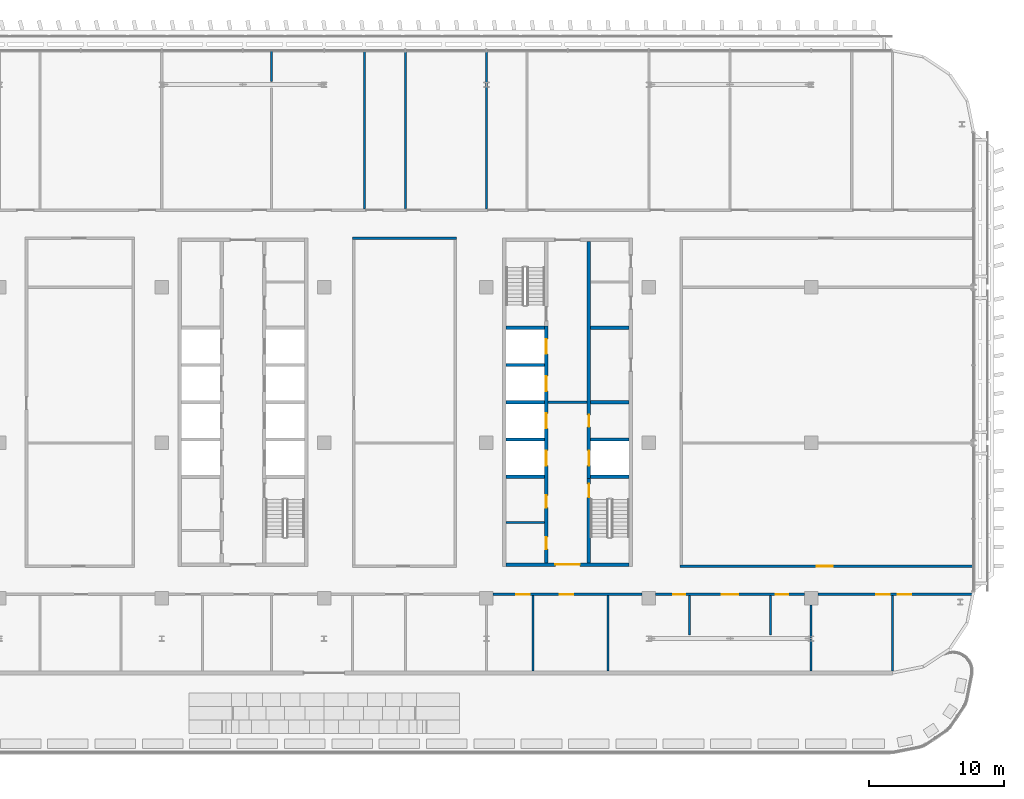
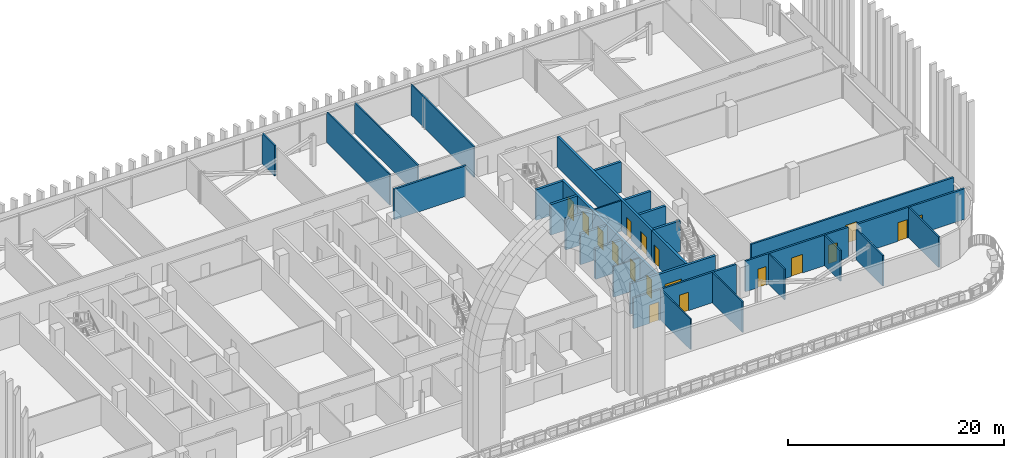
# One storey, part 15 of 30: 30 walls, 18 doors, 18 openings.
"""IFC4 building model written with IfcOpenShell, lengths in metres."""

from ifc_helpers import new_model, si_unit, direction, frame, frame_2d, origin, place, context, subcontext, project, spatial, rectangle, extrude, material, layer, layer_set, type_object, element, fill, save


model = new_model("IFC4")

# Units and contexts
model_context = context("Model", 3, precision=1e-05, world=origin(), true_north=direction((0.0, 1.0)))
body_context = subcontext(model_context, "Body", "Model", "MODEL_VIEW")
ifc_project = project(units=[si_unit("LENGTHUNIT", "METRE"), si_unit("AREAUNIT", "SQUARE_METRE"), si_unit("VOLUMEUNIT", "CUBIC_METRE"), si_unit("PLANEANGLEUNIT", "RADIAN"), si_unit("MASSUNIT", "GRAM", prefix="KILO")], contexts=[model_context])

# Site, building, storey
site_placement = place(None, origin())
site = spatial("IfcSite", under=ifc_project, at=site_placement, CompositionType="ELEMENT")
building_placement = place(site_placement, origin())
building = spatial("IfcBuilding", under=site, at=building_placement, Name="Mahtab Terrace Research Tower", CompositionType="ELEMENT")
storey_placement = place(building_placement, frame((0.0, 0.0, 228.60009765625)))
storey = spatial("IfcBuildingStorey", under=building, at=storey_placement, Name="L55", CompositionType="ELEMENT", Elevation=228.60009765625)

# Walls
ifc_material_1 = material(Name="Gypsum board partition")
ifc_layer_1 = layer(ifc_material_1, 0.14990234375)
ifc_layer_set_1 = layer_set([ifc_layer_1], Name="Core partition 150")
wall_type_1 = type_object("IfcWallType", Name="Core partition 150", PredefinedType="PARTITIONING", material=ifc_layer_set_1)
wall_1_placement = place(storey_placement, frame((22.550048828125, 3.0, 0.0), z_axis=(0.0, 0.0, 1.0), x_axis=(1.0, 0.0, 0.0)))
element("IfcWall", 1, at=wall_1_placement, inside=storey, type_object=wall_type_1, Name="Core wall C ffl", PredefinedType="PARTITIONING", context=body_context, shape_type="SweptSolid", body=[
    extrude(rectangle(XDim=2.89990234375, YDim=0.14990234375, at=frame_2d((1.449951171875, 0.0))), origin(), (0.0, 0.0, 1.0), 3.4599609375),
])
wall_2_placement = place(storey_placement, frame((19.449951171875, -5.875, 0.0), z_axis=(0.0, 0.0, 1.0), x_axis=(1.0, 0.0, 0.0)))
element("IfcWall", 2, at=wall_2_placement, inside=storey, type_object=wall_type_1, Name="Core wall C pWS-888", PredefinedType="PARTITIONING", context=body_context, shape_type="SweptSolid", body=[
    extrude(rectangle(XDim=2.85009765625, YDim=0.14990234375, at=frame_2d((1.425048828125, 0.0))), origin(), (0.0, 0.0, 1.0), 3.4599609375),
])

# Wall, opening, door
ifc_material_2 = material(Name="Concrete C70/85", Category="concrete")
ifc_layer_2 = layer(ifc_material_2, 0.25)
ifc_layer_set_2 = layer_set([ifc_layer_2], Name="Core wall 250")
wall_type_2 = type_object("IfcWallType", Name="Core wall 250", PredefinedType="SOLIDWALL", material=ifc_layer_set_2)
wall_3_placement = place(storey_placement, frame((28.550048828125, -9.0, 0.0), z_axis=(0.0, 0.0, 1.0), x_axis=(-1.0, 0.0, 0.0)))
wall_3 = element("IfcWall", 3, at=wall_3_placement, inside=storey, type_object=wall_type_2, Name="Core wall C endS", PredefinedType="SOLIDWALL", context=body_context, shape_type="SweptSolid", body=[
    extrude(rectangle(XDim=9.10009765625, YDim=0.25, at=frame_2d((4.550048828125, 0.0))), origin(), (0.0, 0.0, 1.0), 3.4599609375),
])
opening_1_placement = place(wall_3_placement, frame((3.64990234375, 0.0, 0.0)))
opening_1 = element("IfcOpeningElement", 4, at=opening_1_placement, cuts=wall_3, Name="Opening C-S1", PredefinedType="OPENING", context=body_context, shape_type="SweptSolid", body=[
    extrude(rectangle(XDim=1.800048828125, YDim=2.10009765625, at=frame_2d((0.89990234375, 1.050048828125))), frame((0.0, 0.135009765625, 0.0), z_axis=(0.0, -1.0, 0.0), x_axis=(1.0, 0.0, 0.0)), (0.0, 0.0, 1.0), 0.27001953125),
])
ifc_material_3 = material(Name="Steel fire door", Category="steel")
door_type_1 = type_object("IfcDoorType", Name="Lobby double door 1800x2100 1 HR", OperationType="DOUBLE_DOOR_SINGLE_SWING", PredefinedType="DOOR", material=ifc_material_3)
door_1_placement = place(opening_1_placement, origin())
door_1 = element("IfcDoor", 5, at=door_1_placement, inside=storey, type_object=door_type_1, Name="Core entrance door C S", OperationType="DOUBLE_DOOR_SINGLE_SWING", OverallHeight=2.10009765625, OverallWidth=1.800048828125, PredefinedType="DOOR", context=body_context, shape_type="SweptSolid", body=[
    extrude(rectangle(XDim=1.800048828125, YDim=2.10009765625, at=frame_2d((0.89990234375, 1.050048828125))), frame((0.0, 0.02490234375, 0.0), z_axis=(0.0, -1.0, 0.0), x_axis=(1.0, 0.0, 0.0)), (0.0, 0.0, 1.0), 0.050048828125),
])
fill(opening_1, door_1)

# Wall, openings, doors
wall_4_placement = place(storey_placement, frame((22.425048828125, -8.875, 0.0), z_axis=(0.0, 0.0, 1.0), x_axis=(0.0, 1.0, 0.0)))
wall_4 = element("IfcWall", 6, at=wall_4_placement, inside=storey, type_object=wall_type_2, Name="Core wall C innerWSL", PredefinedType="SOLIDWALL", context=body_context, shape_type="SweptSolid", body=[
    extrude(rectangle(XDim=17.5, YDim=0.25, at=frame_2d((8.75, 0.0))), origin(), (0.0, 0.0, 1.0), 3.4599609375),
])
opening_2_placement = place(wall_4_placement, frame((7.199951171875, 0.0, 0.0)))
opening_2 = element("IfcOpeningElement", 7, at=opening_2_placement, cuts=wall_4, Name="Opening LD17-L55", PredefinedType="OPENING", context=body_context, shape_type="SweptSolid", body=[
    extrude(rectangle(XDim=1.10009765625, YDim=2.10009765625, at=frame_2d((0.550048828125, 1.050048828125))), frame((0.0, 0.135009765625, 0.0), z_axis=(0.0, -1.0, 0.0), x_axis=(1.0, 0.0, 0.0)), (0.0, 0.0, 1.0), 0.27001953125),
])
opening_3_placement = place(wall_4_placement, frame((9.949951171875, 0.0, 0.0)))
opening_3 = element("IfcOpeningElement", 8, at=opening_3_placement, cuts=wall_4, Name="Opening LD18-L55", PredefinedType="OPENING", context=body_context, shape_type="SweptSolid", body=[
    extrude(rectangle(XDim=1.10009765625, YDim=2.10009765625, at=frame_2d((0.550048828125, 1.050048828125))), frame((0.0, 0.135009765625, 0.0), z_axis=(0.0, -1.0, 0.0), x_axis=(1.0, 0.0, 0.0)), (0.0, 0.0, 1.0), 0.27001953125),
])
opening_4_placement = place(wall_4_placement, frame((12.699951171875, 0.0, 0.0)))
opening_4 = element("IfcOpeningElement", 9, at=opening_4_placement, cuts=wall_4, Name="Opening LD19-L55", PredefinedType="OPENING", context=body_context, shape_type="SweptSolid", body=[
    extrude(rectangle(XDim=1.10009765625, YDim=2.10009765625, at=frame_2d((0.550048828125, 1.050048828125))), frame((0.0, 0.135009765625, 0.0), z_axis=(0.0, -1.0, 0.0), x_axis=(1.0, 0.0, 0.0)), (0.0, 0.0, 1.0), 0.27001953125),
])
opening_5_placement = place(wall_4_placement, frame((15.449951171875, 0.0, 0.0)))
opening_5 = element("IfcOpeningElement", 10, at=opening_5_placement, cuts=wall_4, Name="Opening LD20-L55", PredefinedType="OPENING", context=body_context, shape_type="SweptSolid", body=[
    extrude(rectangle(XDim=1.10009765625, YDim=2.10009765625, at=frame_2d((0.550048828125, 1.050048828125))), frame((0.0, 0.135009765625, 0.0), z_axis=(0.0, -1.0, 0.0), x_axis=(1.0, 0.0, 0.0)), (0.0, 0.0, 1.0), 0.27001953125),
])
opening_6_placement = place(wall_4_placement, frame((1.012451171875, 0.0, 0.0)))
opening_6 = element("IfcOpeningElement", 11, at=opening_6_placement, cuts=wall_4, Name="Opening C-R3", PredefinedType="OPENING", context=body_context, shape_type="SweptSolid", body=[
    extrude(rectangle(XDim=0.89990234375, YDim=2.10009765625, at=frame_2d((0.449951171875, 1.050048828125))), frame((0.0, 0.135009765625, 0.0), z_axis=(0.0, -1.0, 0.0), x_axis=(1.0, 0.0, 0.0)), (0.0, 0.0, 1.0), 0.27001953125),
])
opening_7_placement = place(wall_4_placement, frame((4.08740234375, 0.0, 0.0)))
opening_7 = element("IfcOpeningElement", 12, at=opening_7_placement, cuts=wall_4, Name="Opening C-R4", PredefinedType="OPENING", context=body_context, shape_type="SweptSolid", body=[
    extrude(rectangle(XDim=0.89990234375, YDim=2.10009765625, at=frame_2d((0.449951171875, 1.050048828125))), frame((0.0, 0.135009765625, 0.0), z_axis=(0.0, -1.0, 0.0), x_axis=(1.0, 0.0, 0.0)), (0.0, 0.0, 1.0), 0.27001953125),
])
ifc_material_4 = material(Name="Stainless steel AISI 304", Category="steel")
door_type_2 = type_object("IfcDoorType", Name="Landing door 1100x2100", OperationType="DOUBLE_DOOR_SLIDING", PredefinedType="DOOR", material=ifc_material_4)
door_2_placement = place(opening_2_placement, origin())
door_2 = element("IfcDoor", 13, at=door_2_placement, inside=storey, type_object=door_type_2, Name="Landing door SV1 L55", OperationType="DOUBLE_DOOR_SLIDING", OverallHeight=2.10009765625, OverallWidth=1.10009765625, PredefinedType="DOOR", context=body_context, shape_type="SweptSolid", body=[
    extrude(rectangle(XDim=1.10009765625, YDim=2.10009765625, at=frame_2d((0.550048828125, 1.050048828125))), frame((0.0, 0.02490234375, 0.0), z_axis=(0.0, -1.0, 0.0), x_axis=(1.0, 0.0, 0.0)), (0.0, 0.0, 1.0), 0.050048828125),
])
fill(opening_2, door_2)
door_3_placement = place(opening_3_placement, origin())
door_3 = element("IfcDoor", 14, at=door_3_placement, inside=storey, type_object=door_type_2, Name="Landing door SV2 L55", OperationType="DOUBLE_DOOR_SLIDING", OverallHeight=2.10009765625, OverallWidth=1.10009765625, PredefinedType="DOOR", context=body_context, shape_type="SweptSolid", body=[
    extrude(rectangle(XDim=1.10009765625, YDim=2.10009765625, at=frame_2d((0.550048828125, 1.050048828125))), frame((0.0, 0.02490234375, 0.0), z_axis=(0.0, -1.0, 0.0), x_axis=(1.0, 0.0, 0.0)), (0.0, 0.0, 1.0), 0.050048828125),
])
fill(opening_3, door_3)
door_4_placement = place(opening_4_placement, origin())
door_4 = element("IfcDoor", 15, at=door_4_placement, inside=storey, type_object=door_type_2, Name="Landing door FF1 L55", OperationType="DOUBLE_DOOR_SLIDING", OverallHeight=2.10009765625, OverallWidth=1.10009765625, PredefinedType="DOOR", context=body_context, shape_type="SweptSolid", body=[
    extrude(rectangle(XDim=1.10009765625, YDim=2.10009765625, at=frame_2d((0.550048828125, 1.050048828125))), frame((0.0, 0.02490234375, 0.0), z_axis=(0.0, -1.0, 0.0), x_axis=(1.0, 0.0, 0.0)), (0.0, 0.0, 1.0), 0.050048828125),
])
fill(opening_4, door_4)
door_5_placement = place(opening_5_placement, origin())
door_5 = element("IfcDoor", 16, at=door_5_placement, inside=storey, type_object=door_type_2, Name="Landing door FF2 L55", OperationType="DOUBLE_DOOR_SLIDING", OverallHeight=2.10009765625, OverallWidth=1.10009765625, PredefinedType="DOOR", context=body_context, shape_type="SweptSolid", body=[
    extrude(rectangle(XDim=1.10009765625, YDim=2.10009765625, at=frame_2d((0.550048828125, 1.050048828125))), frame((0.0, 0.02490234375, 0.0), z_axis=(0.0, -1.0, 0.0), x_axis=(1.0, 0.0, 0.0)), (0.0, 0.0, 1.0), 0.050048828125),
])
fill(opening_5, door_5)
door_type_3 = type_object("IfcDoorType", Name="Room door 900x2100 1 HR", OperationType="NOTDEFINED", PredefinedType="DOOR", material=ifc_material_3)
door_6_placement = place(opening_6_placement, origin())
door_6 = element("IfcDoor", 17, at=door_6_placement, inside=storey, type_object=door_type_3, Name="Staff WC door", OperationType="SINGLE_SWING_LEFT", OverallHeight=2.10009765625, OverallWidth=0.89990234375, PredefinedType="DOOR", context=body_context, shape_type="SweptSolid", body=[
    extrude(rectangle(XDim=0.89990234375, YDim=2.10009765625, at=frame_2d((0.449951171875, 1.050048828125))), frame((0.0, 0.02490234375, 0.0), z_axis=(0.0, -1.0, 0.0), x_axis=(1.0, 0.0, 0.0)), (0.0, 0.0, 1.0), 0.050048828125),
])
fill(opening_6, door_6)
door_7_placement = place(opening_7_placement, origin())
door_7 = element("IfcDoor", 18, at=door_7_placement, inside=storey, type_object=door_type_3, Name="Accessible WC door", OperationType="SINGLE_SWING_RIGHT", OverallHeight=2.10009765625, OverallWidth=0.89990234375, PredefinedType="DOOR", context=body_context, shape_type="SweptSolid", body=[
    extrude(rectangle(XDim=0.89990234375, YDim=2.10009765625, at=frame_2d((0.449951171875, 1.050048828125))), frame((0.0, 0.02490234375, 0.0), z_axis=(0.0, -1.0, 0.0), x_axis=(1.0, 0.0, 0.0)), (0.0, 0.0, 1.0), 0.050048828125),
])
fill(opening_7, door_7)

# Wall, opening, door
wall_5_placement = place(storey_placement, frame((25.574951171875, -8.875, 0.0), z_axis=(0.0, 0.0, 1.0), x_axis=(0.0, 1.0, 0.0)))
wall_5 = element("IfcWall", 19, at=wall_5_placement, inside=storey, type_object=wall_type_2, Name="Core wall C innerES", PredefinedType="SOLIDWALL", context=body_context, shape_type="SweptSolid", body=[
    extrude(rectangle(XDim=6.25, YDim=0.25, at=frame_2d((3.125, 0.0))), origin(), (0.0, 0.0, 1.0), 3.4599609375),
])
opening_8_placement = place(wall_5_placement, frame((4.85009765625, 0.0, 0.0)))
opening_8 = element("IfcOpeningElement", 20, at=opening_8_placement, cuts=wall_5, Name="Opening C-ST4", PredefinedType="OPENING", context=body_context, shape_type="SweptSolid", body=[
    extrude(rectangle(XDim=1.0, YDim=2.10009765625, at=frame_2d((0.5, 1.050048828125))), frame((0.0, 0.135009765625, 0.0), z_axis=(0.0, -1.0, 0.0), x_axis=(1.0, 0.0, 0.0)), (0.0, 0.0, 1.0), 0.27001953125),
])
door_type_4 = type_object("IfcDoorType", Name="Stair door 1000x2100 1.5 HR", OperationType="NOTDEFINED", PredefinedType="DOOR", material=ifc_material_3)
door_8_placement = place(opening_8_placement, origin())
door_8 = element("IfcDoor", 21, at=door_8_placement, inside=storey, type_object=door_type_4, Name="Stair door ST4 L55", OperationType="SINGLE_SWING_RIGHT", OverallHeight=2.10009765625, OverallWidth=1.0, PredefinedType="DOOR", context=body_context, shape_type="SweptSolid", body=[
    extrude(rectangle(XDim=1.0, YDim=2.10009765625, at=frame_2d((0.5, 1.050048828125))), frame((0.0, 0.02490234375, 0.0), z_axis=(0.0, -1.0, 0.0), x_axis=(1.0, 0.0, 0.0)), (0.0, 0.0, 1.0), 0.050048828125),
])
fill(opening_8, door_8)

# Wall, openings, doors
wall_6_placement = place(storey_placement, frame((25.574951171875, 14.875, 0.0), z_axis=(0.0, 0.0, 1.0), x_axis=(0.0, -1.0, 0.0)))
wall_6 = element("IfcWall", 22, at=wall_6_placement, inside=storey, type_object=wall_type_2, Name="Core wall C innerELN", PredefinedType="SOLIDWALL", context=body_context, shape_type="SweptSolid", body=[
    extrude(rectangle(XDim=17.5, YDim=0.25, at=frame_2d((8.75, 0.0))), origin(), (0.0, 0.0, 1.0), 3.4599609375),
])
opening_9_placement = place(wall_6_placement, frame((15.449951171875, 0.0, 0.0)))
opening_9 = element("IfcOpeningElement", 23, at=opening_9_placement, cuts=wall_6, Name="Opening LD21-L55", PredefinedType="OPENING", context=body_context, shape_type="SweptSolid", body=[
    extrude(rectangle(XDim=1.10009765625, YDim=2.10009765625, at=frame_2d((0.550048828125, 1.050048828125))), frame((0.0, 0.135009765625, 0.0), z_axis=(0.0, -1.0, 0.0), x_axis=(1.0, 0.0, 0.0)), (0.0, 0.0, 1.0), 0.27001953125),
])
opening_10_placement = place(wall_6_placement, frame((12.800048828125, 0.0, 0.0)))
opening_10 = element("IfcOpeningElement", 24, at=opening_10_placement, cuts=wall_6, Name="Opening C-R1", PredefinedType="OPENING", context=body_context, shape_type="SweptSolid", body=[
    extrude(rectangle(XDim=0.89990234375, YDim=2.10009765625, at=frame_2d((0.449951171875, 1.050048828125))), frame((0.0, 0.135009765625, 0.0), z_axis=(0.0, -1.0, 0.0), x_axis=(1.0, 0.0, 0.0)), (0.0, 0.0, 1.0), 0.27001953125),
])
door_9_placement = place(opening_9_placement, origin())
door_9 = element("IfcDoor", 25, at=door_9_placement, inside=storey, type_object=door_type_2, Name="Landing door SV3 L55", OperationType="DOUBLE_DOOR_SLIDING", OverallHeight=2.10009765625, OverallWidth=1.10009765625, PredefinedType="DOOR", context=body_context, shape_type="SweptSolid", body=[
    extrude(rectangle(XDim=1.10009765625, YDim=2.10009765625, at=frame_2d((0.550048828125, 1.050048828125))), frame((0.0, 0.02490234375, 0.0), z_axis=(0.0, -1.0, 0.0), x_axis=(1.0, 0.0, 0.0)), (0.0, 0.0, 1.0), 0.050048828125),
])
fill(opening_9, door_9)
door_10_placement = place(opening_10_placement, origin())
door_10 = element("IfcDoor", 26, at=door_10_placement, inside=storey, type_object=door_type_3, Name="Plant room door", OperationType="SINGLE_SWING_LEFT", OverallHeight=2.10009765625, OverallWidth=0.89990234375, PredefinedType="DOOR", context=body_context, shape_type="SweptSolid", body=[
    extrude(rectangle(XDim=0.89990234375, YDim=2.10009765625, at=frame_2d((0.449951171875, 1.050048828125))), frame((0.0, 0.02490234375, 0.0), z_axis=(0.0, -1.0, 0.0), x_axis=(1.0, 0.0, 0.0)), (0.0, 0.0, 1.0), 0.050048828125),
])
fill(opening_10, door_10)

# Walls
for number, where, z_axis, x_axis, name in (
    (27, (19.449951171875, -2.5, 0.0), (0.0, 0.0, 1.0), (1.0, 0.0, 0.0), "Core wall C divW0"),
    (28, (19.449951171875, 0.25, 0.0), (0.0, 0.0, 1.0), (1.0, 0.0, 0.0), "Core wall C divW1"),
    (29, (19.449951171875, 3.0, 0.0), (0.0, 0.0, 1.0), (1.0, 0.0, 0.0), "Core wall C divW2"),
    (30, (19.449951171875, 5.75, 0.0), (0.0, 0.0, 1.0), (1.0, 0.0, 0.0), "Core wall C divW3"),
    (31, (19.449951171875, 8.5, 0.0), (0.0, 0.0, 1.0), (1.0, 0.0, 0.0), "Core wall C divW4"),
    (32, (25.699951171875, -2.5, 0.0), (0.0, 0.0, 1.0), (1.0, 0.0, 0.0), "Core wall C divE0"),
    (33, (25.699951171875, 0.25, 0.0), (0.0, 0.0, 1.0), (1.0, 0.0, 0.0), "Core wall C divE1"),
    (34, (25.699951171875, 3.0, 0.0), (0.0, 0.0, 1.0), (1.0, 0.0, 0.0), "Core wall C divE2"),
    (35, (25.699951171875, 8.5, 0.0), (0.0, 0.0, 1.0), (1.0, 0.0, 0.0), "Core wall C divE4"),
):
    element("IfcWall", number, at=place(storey_placement, frame(where, z_axis=z_axis, x_axis=x_axis)), inside=storey, type_object=wall_type_2, Name=name, PredefinedType="SOLIDWALL", context=body_context, shape_type="SweptSolid", body=[
        extrude(rectangle(XDim=2.85009765625, YDim=0.25, at=frame_2d((1.425048828125, 0.0))), origin(), (0.0, 0.0, 1.0), 3.4599609375),
    ])

# Wall, openings, doors
ifc_material_5 = material(Name="Gypsum board corridor wall on steel studs", Category="steel")
ifc_layer_3 = layer(ifc_material_5, 0.199951171875)
ifc_layer_set_3 = layer_set([ifc_layer_3], Name="WALL CORRIDOR 200")
wall_type_3 = type_object("IfcWallType", Name="WALL CORRIDOR 200", PredefinedType="PARTITIONING", material=ifc_layer_set_3)
wall_7_placement = place(storey_placement, frame((18.5, -11.199951171875, 0.0), z_axis=(0.0, 0.0, 1.0), x_axis=(1.0, 0.0, 0.0)))
wall_7 = element("IfcWall", 36, at=wall_7_placement, inside=storey, type_object=wall_type_3, Name="L55-W007", PredefinedType="PARTITIONING", context=body_context, shape_type="SweptSolid", body=[
    extrude(rectangle(XDim=11.0, YDim=0.199951171875, at=frame_2d((5.5, 0.0))), origin(), (0.0, 0.0, 1.0), 3.4599609375),
])
opening_11_placement = place(wall_7_placement, frame((1.699951171875, 0.0, 0.0)))
opening_11 = element("IfcOpeningElement", 37, at=opening_11_placement, cuts=wall_7, Name="Opening L55-111", PredefinedType="OPENING", context=body_context, shape_type="SweptSolid", body=[
    extrude(rectangle(XDim=1.0, YDim=2.10009765625, at=frame_2d((0.5, 1.050048828125))), frame((0.0, 0.10986328125, 0.0), z_axis=(0.0, -1.0, 0.0), x_axis=(1.0, 0.0, 0.0)), (0.0, 0.0, 1.0), 0.219970703125),
])
opening_12_placement = place(wall_7_placement, frame((4.89990234375, 0.0, 0.0)))
opening_12 = element("IfcOpeningElement", 38, at=opening_12_placement, cuts=wall_7, Name="Opening L55-112", PredefinedType="OPENING", context=body_context, shape_type="SweptSolid", body=[
    extrude(rectangle(XDim=1.0, YDim=2.10009765625, at=frame_2d((0.5, 1.050048828125))), frame((0.0, 0.10986328125, 0.0), z_axis=(0.0, -1.0, 0.0), x_axis=(1.0, 0.0, 0.0)), (0.0, 0.0, 1.0), 0.219970703125),
])
ifc_material_6 = material(Name="Timber door leaf in steel frame", Category="steel")
door_type_5 = type_object("IfcDoorType", Name="DOOR 1000X2100 FD30S", OperationType="SINGLE_SWING_LEFT", PredefinedType="DOOR", material=ifc_material_6)
door_11_placement = place(opening_11_placement, origin())
door_11 = element("IfcDoor", 39, at=door_11_placement, inside=storey, type_object=door_type_5, Name="Door L55-111", OperationType="SINGLE_SWING_RIGHT", OverallHeight=2.10009765625, OverallWidth=1.0, PredefinedType="DOOR", context=body_context, shape_type="SweptSolid", body=[
    extrude(rectangle(XDim=1.0, YDim=2.10009765625, at=frame_2d((0.5, 1.050048828125))), frame((0.0, 0.02490234375, 0.0), z_axis=(0.0, -1.0, 0.0), x_axis=(1.0, 0.0, 0.0)), (0.0, 0.0, 1.0), 0.050048828125),
])
fill(opening_11, door_11)
door_12_placement = place(opening_12_placement, origin())
door_12 = element("IfcDoor", 40, at=door_12_placement, inside=storey, type_object=door_type_5, Name="Door L55-112", OperationType="SINGLE_SWING_RIGHT", OverallHeight=2.10009765625, OverallWidth=1.0, PredefinedType="DOOR", context=body_context, shape_type="SweptSolid", body=[
    extrude(rectangle(XDim=1.0, YDim=2.10009765625, at=frame_2d((0.5, 1.050048828125))), frame((0.0, 0.02490234375, 0.0), z_axis=(0.0, -1.0, 0.0), x_axis=(1.0, 0.0, 0.0)), (0.0, 0.0, 1.0), 0.050048828125),
])
fill(opening_12, door_12)

wall_8_placement = place(storey_placement, frame((30.5, -11.199951171875, 0.0), z_axis=(0.0, 0.0, 1.0), x_axis=(1.0, 0.0, 0.0)))
wall_8 = element("IfcWall", 41, at=wall_8_placement, inside=storey, type_object=wall_type_3, Name="L55-W008", PredefinedType="PARTITIONING", context=body_context, shape_type="SweptSolid", body=[
    extrude(rectangle(XDim=11.0, YDim=0.199951171875, at=frame_2d((5.5, 0.0))), origin(), (0.0, 0.0, 1.0), 3.4599609375),
])
opening_13_placement = place(wall_8_placement, frame((1.300048828125, 0.0, 0.0)))
opening_13 = element("IfcOpeningElement", 42, at=opening_13_placement, cuts=wall_8, Name="Opening L55-113", PredefinedType="OPENING", context=body_context, shape_type="SweptSolid", body=[
    extrude(rectangle(XDim=0.89990234375, YDim=2.10009765625, at=frame_2d((0.449951171875, 1.050048828125))), frame((0.0, 0.10986328125, 0.0), z_axis=(0.0, -1.0, 0.0), x_axis=(1.0, 0.0, 0.0)), (0.0, 0.0, 1.0), 0.219970703125),
])
opening_14_placement = place(wall_8_placement, frame((4.89990234375, 0.0, 0.0)))
opening_14 = element("IfcOpeningElement", 43, at=opening_14_placement, cuts=wall_8, Name="Opening L55-114", PredefinedType="OPENING", context=body_context, shape_type="SweptSolid", body=[
    extrude(rectangle(XDim=1.199951171875, YDim=2.10009765625, at=frame_2d((0.60009765625, 1.050048828125))), frame((0.0, 0.10986328125, 0.0), z_axis=(0.0, -1.0, 0.0), x_axis=(1.0, 0.0, 0.0)), (0.0, 0.0, 1.0), 0.219970703125),
])
opening_15_placement = place(wall_8_placement, frame((8.89990234375, 0.0, 0.0)))
opening_15 = element("IfcOpeningElement", 44, at=opening_15_placement, cuts=wall_8, Name="Opening L55-115", PredefinedType="OPENING", context=body_context, shape_type="SweptSolid", body=[
    extrude(rectangle(XDim=0.89990234375, YDim=2.10009765625, at=frame_2d((0.449951171875, 1.050048828125))), frame((0.0, 0.10986328125, 0.0), z_axis=(0.0, -1.0, 0.0), x_axis=(1.0, 0.0, 0.0)), (0.0, 0.0, 1.0), 0.219970703125),
])
door_type_6 = type_object("IfcDoorType", Name="DOOR 0900X2100 FD30S", OperationType="SINGLE_SWING_LEFT", PredefinedType="DOOR", material=ifc_material_6)
door_13_placement = place(opening_13_placement, origin())
door_13 = element("IfcDoor", 45, at=door_13_placement, inside=storey, type_object=door_type_6, Name="Door L55-113", OperationType="SINGLE_SWING_RIGHT", OverallHeight=2.10009765625, OverallWidth=0.89990234375, PredefinedType="DOOR", context=body_context, shape_type="SweptSolid", body=[
    extrude(rectangle(XDim=0.89990234375, YDim=2.10009765625, at=frame_2d((0.449951171875, 1.050048828125))), frame((0.0, 0.02490234375, 0.0), z_axis=(0.0, -1.0, 0.0), x_axis=(1.0, 0.0, 0.0)), (0.0, 0.0, 1.0), 0.050048828125),
])
fill(opening_13, door_13)
door_14_placement = place(opening_15_placement, origin())
door_14 = element("IfcDoor", 46, at=door_14_placement, inside=storey, type_object=door_type_6, Name="Door L55-115", OperationType="SINGLE_SWING_LEFT", OverallHeight=2.10009765625, OverallWidth=0.89990234375, PredefinedType="DOOR", context=body_context, shape_type="SweptSolid", body=[
    extrude(rectangle(XDim=0.89990234375, YDim=2.10009765625, at=frame_2d((0.449951171875, 1.050048828125))), frame((0.0, 0.02490234375, 0.0), z_axis=(0.0, -1.0, 0.0), x_axis=(1.0, 0.0, 0.0)), (0.0, 0.0, 1.0), 0.050048828125),
])
fill(opening_15, door_14)
door_type_7 = type_object("IfcDoorType", Name="DOOR 1200X2100 FD30S", OperationType="SINGLE_SWING_LEFT", PredefinedType="DOOR", material=ifc_material_6)
door_15_placement = place(opening_14_placement, origin())
door_15 = element("IfcDoor", 47, at=door_15_placement, inside=storey, type_object=door_type_7, Name="Door L55-114", OperationType="SINGLE_SWING_RIGHT", OverallHeight=2.10009765625, OverallWidth=1.199951171875, PredefinedType="DOOR", context=body_context, shape_type="SweptSolid", body=[
    extrude(rectangle(XDim=1.199951171875, YDim=2.10009765625, at=frame_2d((0.60009765625, 1.050048828125))), frame((0.0, 0.02490234375, 0.0), z_axis=(0.0, -1.0, 0.0), x_axis=(1.0, 0.0, 0.0)), (0.0, 0.0, 1.0), 0.050048828125),
])
fill(opening_14, door_15)

wall_9_placement = place(storey_placement, frame((42.5, -11.199951171875, 0.0), z_axis=(0.0, 0.0, 1.0), x_axis=(1.0, 0.0, 0.0)))
wall_9 = element("IfcWall", 48, at=wall_9_placement, inside=storey, type_object=wall_type_3, Name="L55-W009", PredefinedType="PARTITIONING", context=body_context, shape_type="SweptSolid", body=[
    extrude(rectangle(XDim=11.47509765625, YDim=0.199951171875, at=frame_2d((5.737548828125, 0.0))), origin(), (0.0, 0.0, 1.0), 3.4599609375),
])
opening_16_placement = place(wall_9_placement, frame((4.300048828125, 0.0, 0.0)))
opening_16 = element("IfcOpeningElement", 49, at=opening_16_placement, cuts=wall_9, Name="Opening L55-116", PredefinedType="OPENING", context=body_context, shape_type="SweptSolid", body=[
    extrude(rectangle(XDim=1.0, YDim=2.10009765625, at=frame_2d((0.5, 1.050048828125))), frame((0.0, 0.10986328125, 0.0), z_axis=(0.0, -1.0, 0.0), x_axis=(1.0, 0.0, 0.0)), (0.0, 0.0, 1.0), 0.219970703125),
])
opening_17_placement = place(wall_9_placement, frame((5.89990234375, 0.0, 0.0)))
opening_17 = element("IfcOpeningElement", 50, at=opening_17_placement, cuts=wall_9, Name="Opening L55-117", PredefinedType="OPENING", context=body_context, shape_type="SweptSolid", body=[
    extrude(rectangle(XDim=1.0, YDim=2.10009765625, at=frame_2d((0.5, 1.050048828125))), frame((0.0, 0.10986328125, 0.0), z_axis=(0.0, -1.0, 0.0), x_axis=(1.0, 0.0, 0.0)), (0.0, 0.0, 1.0), 0.219970703125),
])
door_16_placement = place(opening_16_placement, origin())
door_16 = element("IfcDoor", 51, at=door_16_placement, inside=storey, type_object=door_type_5, Name="Door L55-116", OperationType="SINGLE_SWING_RIGHT", OverallHeight=2.10009765625, OverallWidth=1.0, PredefinedType="DOOR", context=body_context, shape_type="SweptSolid", body=[
    extrude(rectangle(XDim=1.0, YDim=2.10009765625, at=frame_2d((0.5, 1.050048828125))), frame((0.0, 0.02490234375, 0.0), z_axis=(0.0, -1.0, 0.0), x_axis=(1.0, 0.0, 0.0)), (0.0, 0.0, 1.0), 0.050048828125),
])
fill(opening_16, door_16)
door_17_placement = place(opening_17_placement, origin())
door_17 = element("IfcDoor", 52, at=door_17_placement, inside=storey, type_object=door_type_5, Name="Door L55-117", OperationType="SINGLE_SWING_LEFT", OverallHeight=2.10009765625, OverallWidth=1.0, PredefinedType="DOOR", context=body_context, shape_type="SweptSolid", body=[
    extrude(rectangle(XDim=1.0, YDim=2.10009765625, at=frame_2d((0.5, 1.050048828125))), frame((0.0, 0.02490234375, 0.0), z_axis=(0.0, -1.0, 0.0), x_axis=(1.0, 0.0, 0.0)), (0.0, 0.0, 1.0), 0.050048828125),
])
fill(opening_17, door_17)

# Wall, opening, door
wall_10_placement = place(storey_placement, frame((32.300048828125, -9.125, 0.0), z_axis=(0.0, 0.0, 1.0), x_axis=(1.0, 0.0, 0.0)))
wall_10 = element("IfcWall", 53, at=wall_10_placement, inside=storey, type_object=wall_type_3, Name="L55-W013", PredefinedType="PARTITIONING", context=body_context, shape_type="SweptSolid", body=[
    extrude(rectangle(XDim=21.675048828125, YDim=0.199951171875, at=frame_2d((10.83740234375, 0.0))), origin(), (0.0, 0.0, 1.0), 3.4599609375),
])
opening_18_placement = place(wall_10_placement, frame((10.10009765625, 0.0, 0.0)))
opening_18 = element("IfcOpeningElement", 54, at=opening_18_placement, cuts=wall_10, Name="Opening L55-121", PredefinedType="OPENING", context=body_context, shape_type="SweptSolid", body=[
    extrude(rectangle(XDim=1.199951171875, YDim=2.10009765625, at=frame_2d((0.60009765625, 1.050048828125))), frame((0.0, 0.10986328125, 0.0), z_axis=(0.0, -1.0, 0.0), x_axis=(1.0, 0.0, 0.0)), (0.0, 0.0, 1.0), 0.219970703125),
])
door_18_placement = place(opening_18_placement, origin())
door_18 = element("IfcDoor", 55, at=door_18_placement, inside=storey, type_object=door_type_7, Name="Door L55-121", OperationType="SINGLE_SWING_LEFT", OverallHeight=2.10009765625, OverallWidth=1.199951171875, PredefinedType="DOOR", context=body_context, shape_type="SweptSolid", body=[
    extrude(rectangle(XDim=1.199951171875, YDim=2.10009765625, at=frame_2d((0.60009765625, 1.050048828125))), frame((0.0, 0.02490234375, 0.0), z_axis=(0.0, -1.0, 0.0), x_axis=(1.0, 0.0, 0.0)), (0.0, 0.0, 1.0), 0.050048828125),
])
fill(opening_18, door_18)

# Walls
wall_11_placement = place(storey_placement, frame((8.10009765625, 15.125, 0.0), z_axis=(0.0, 0.0, 1.0), x_axis=(1.0, 0.0, 0.0)))
element("IfcWall", 56, at=wall_11_placement, inside=storey, type_object=wall_type_3, Name="L55-W024", PredefinedType="PARTITIONING", context=body_context, shape_type="SweptSolid", body=[
    extrude(rectangle(XDim=7.699951171875, YDim=0.199951171875, at=frame_2d((3.85009765625, 0.0))), origin(), (0.0, 0.0, 1.0), 3.4599609375),
])
ifc_material_7 = material(Name="Gypsum board partition on steel studs", Category="steel")
ifc_layer_4 = layer(ifc_material_7, 0.14990234375)
ifc_layer_set_4 = layer_set([ifc_layer_4], Name="WALL PARTITION 150")
wall_type_4 = type_object("IfcWallType", Name="WALL PARTITION 150", PredefinedType="PARTITIONING", material=ifc_layer_set_4)
wall_12_placement = place(storey_placement, frame((2.10009765625, 26.725341796875, 0.0), z_axis=(0.0, 0.0, 1.0), x_axis=(0.0, 1.0, 0.0)))
element("IfcWall", 57, at=wall_12_placement, inside=storey, type_object=wall_type_4, Name="L55-W043", PredefinedType="PARTITIONING", context=body_context, shape_type="SweptSolid", body=[
    extrude(rectangle(XDim=2.249755859375, YDim=0.14990234375, at=frame_2d((1.125, 0.0))), origin(), (0.0, 0.0, 1.0), 3.4599609375),
])
for number, where, z_axis, x_axis, name in (
    (58, (9.0, 17.300048828125, 0.0), (0.0, 0.0, 1.0), (0.0, 1.0, 0.0), "L55-W046"),
    (59, (12.0, 17.300048828125, 0.0), (0.0, 0.0, 1.0), (0.0, 1.0, 0.0), "L55-W048"),
    (60, (18.0, 17.300048828125, 0.0), (0.0, 0.0, 1.0), (0.0, 1.0, 0.0), "L55-W051"),
):
    element("IfcWall", number, at=place(storey_placement, frame(where, z_axis=z_axis, x_axis=x_axis)), inside=storey, type_object=wall_type_4, Name=name, PredefinedType="PARTITIONING", context=body_context, shape_type="SweptSolid", body=[
        extrude(rectangle(XDim=11.675048828125, YDim=0.14990234375, at=frame_2d((5.83740234375, 0.0))), origin(), (0.0, 0.0, 1.0), 3.4599609375),
    ])
for number, where, z_axis, x_axis, name in (
    (61, (21.449951171875, -16.85009765625, 0.0), (0.0, 0.0, 1.0), (0.0, 1.0, 0.0), "L55-W053"),
    (62, (27.0, -16.85009765625, 0.0), (0.0, 0.0, 1.0), (0.0, 1.0, 0.0), "L55-W054"),
):
    element("IfcWall", number, at=place(storey_placement, frame(where, z_axis=z_axis, x_axis=x_axis)), inside=storey, type_object=wall_type_4, Name=name, PredefinedType="PARTITIONING", context=body_context, shape_type="SweptSolid", body=[
        extrude(rectangle(XDim=5.550048828125, YDim=0.14990234375, at=frame_2d((2.77490234375, 0.0))), origin(), (0.0, 0.0, 1.0), 3.4599609375),
    ])
for number, where, z_axis, x_axis, name in (
    (63, (33.0, -14.220703125, 0.0), (0.0, 0.0, 1.0), (0.0, 1.0, 0.0), "L55-W057"),
    (64, (39.0, -14.220703125, 0.0), (0.0, 0.0, 1.0), (0.0, 1.0, 0.0), "L55-W060"),
):
    element("IfcWall", number, at=place(storey_placement, frame(where, z_axis=z_axis, x_axis=x_axis)), inside=storey, type_object=wall_type_4, Name=name, PredefinedType="PARTITIONING", context=body_context, shape_type="SweptSolid", body=[
        extrude(rectangle(XDim=2.920654296875, YDim=0.14990234375, at=frame_2d((1.46044921875, 0.0))), origin(), (0.0, 0.0, 1.0), 3.4599609375),
    ])
wall_13_placement = place(storey_placement, frame((42.0, -16.85009765625, 0.0), z_axis=(0.0, 0.0, 1.0), x_axis=(0.0, 1.0, 0.0)))
element("IfcWall", 65, at=wall_13_placement, inside=storey, type_object=wall_type_4, Name="L55-W061", PredefinedType="PARTITIONING", context=body_context, shape_type="SweptSolid", body=[
    extrude(rectangle(XDim=4.85009765625, YDim=0.14990234375, at=frame_2d((2.425048828125, 0.0))), origin(), (0.0, 0.0, 1.0), 3.4599609375),
])
wall_14_placement = place(storey_placement, frame((48.0, -16.84716796875, 0.0), z_axis=(0.0, 0.0, 1.0), x_axis=(0.0, 1.0, 0.0)))
element("IfcWall", 66, at=wall_14_placement, inside=storey, type_object=wall_type_4, Name="L55-W063", PredefinedType="PARTITIONING", context=body_context, shape_type="SweptSolid", body=[
    extrude(rectangle(XDim=5.547119140625, YDim=0.14990234375, at=frame_2d((2.7734375, 0.0))), origin(), (0.0, 0.0, 1.0), 3.4599609375),
])

save(model, "model.ifc")
